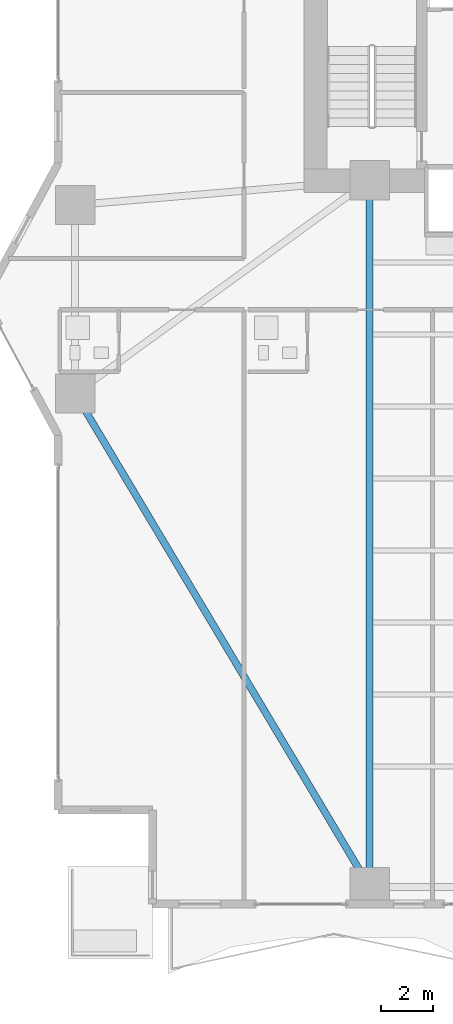
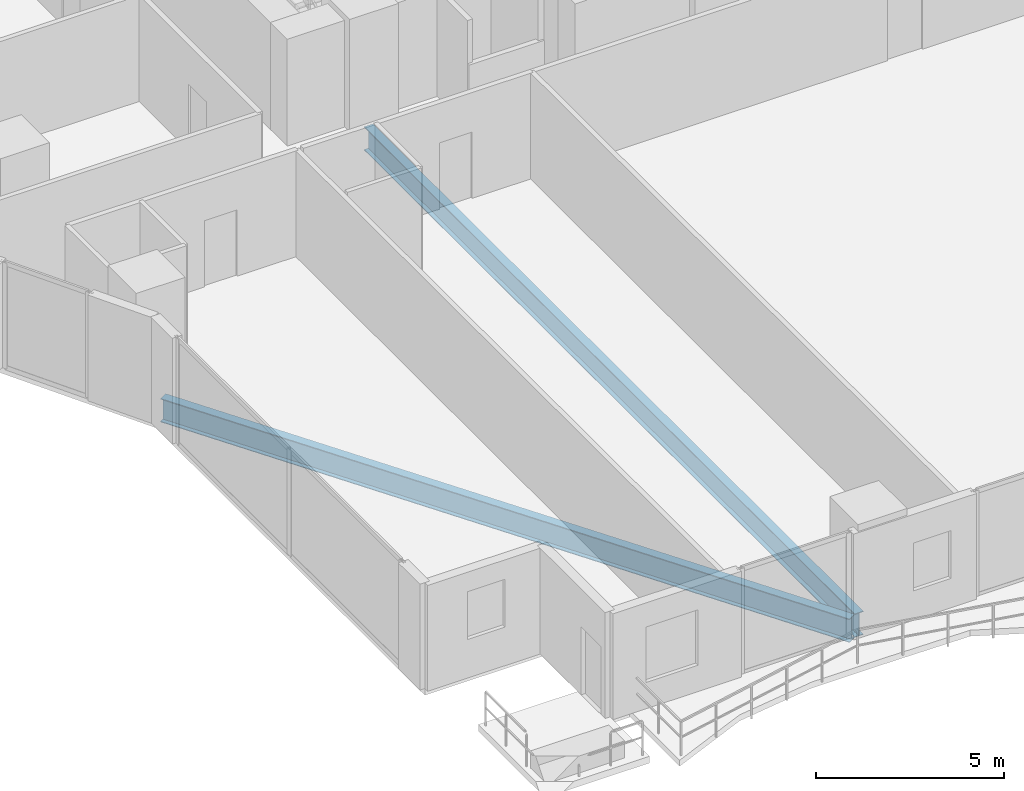
# One storey, part 3 of 28: 2 beams.
"""IFC4 building model written with IfcOpenShell, lengths in metres."""

from ifc_helpers import new_model, si_unit, direction, frame, origin, origin_2d, place, context, subcontext, project, spatial, i_section, extrude, material, material_profile, profile_set, type_object, element, save


model = new_model("IFC4")

# Units and contexts
model_context = context("Model", 3, precision=1e-05, world=origin(), true_north=direction((0.0, 1.0)))
body_context = subcontext(model_context, "Body", "Model", "MODEL_VIEW")
ifc_project = project(units=[si_unit("LENGTHUNIT", "METRE"), si_unit("AREAUNIT", "SQUARE_METRE"), si_unit("VOLUMEUNIT", "CUBIC_METRE"), si_unit("PLANEANGLEUNIT", "RADIAN"), si_unit("MASSUNIT", "GRAM", prefix="KILO")], contexts=[model_context])

# Site, building, storey
site_placement = place(None, origin())
site = spatial("IfcSite", under=ifc_project, at=site_placement, CompositionType="ELEMENT")
building_placement = place(site_placement, origin())
building = spatial("IfcBuilding", under=site, at=building_placement, Name="Zuhayl Quay Hotel", CompositionType="ELEMENT")
storey_placement = place(building_placement, frame((0.0, 0.0, 75.050048828125)))
storey = spatial("IfcBuildingStorey", under=building, at=storey_placement, Name="L18", CompositionType="ELEMENT", Elevation=75.050048828125)

# Beams
ifc_material = material(Name="Steel ASTM A992 Grade 50", Category="steel")
ifc_material_profile = material_profile(ifc_material, i_section(OverallWidth=0.26708984375, OverallDepth=0.761962890625, WebThickness=0.014404296875, FlangeThickness=0.021484375, at=origin_2d()), Name="W30X116")
ifc_profile_set = profile_set([ifc_material_profile], Name="Steel ASTM A992 Grade 50")
beam_type = type_object("IfcBeamType", Name="BM_B1_W30X116", PredefinedType="BEAM", material=ifc_profile_set)
beam_1_placement = place(storey_placement, frame((-24.793701171875, -4.029296875, -0.60107421875), z_axis=(0.512482593247, -0.85869761361, 0.0), x_axis=(0.85869761361, 0.512482593247, 0.0)))
element("IfcBeam", 1, at=beam_1_placement, inside=storey, type_object=beam_type, Name="L18 Floor Beam RG_L18_12", PredefinedType="BEAM", context=body_context, shape_type="SweptSolid", body=[
    extrude(i_section(OverallWidth=0.26708984375, OverallDepth=0.761962890625, WebThickness=0.014404296875, FlangeThickness=0.021484375, at=origin_2d()), origin(), (0.0, 0.0, 1.0), 20.9521484375),
])
beam_2_placement = place(storey_placement, frame((-13.800048828125, -21.949951171875, -0.60107421875), z_axis=(0.0, 1.0, 0.0), x_axis=(-1.0, 0.0, 0.0)))
element("IfcBeam", 2, at=beam_2_placement, inside=storey, type_object=beam_type, Name="L18 Floor Beam FG_S_L18_1", PredefinedType="BEAM", context=body_context, shape_type="SweptSolid", body=[
    extrude(i_section(OverallWidth=0.26708984375, OverallDepth=0.761962890625, WebThickness=0.014404296875, FlangeThickness=0.021484375, at=origin_2d()), origin(), (0.0, 0.0, 1.0), 26.050048828125),
])

save(model, "model.ifc")
